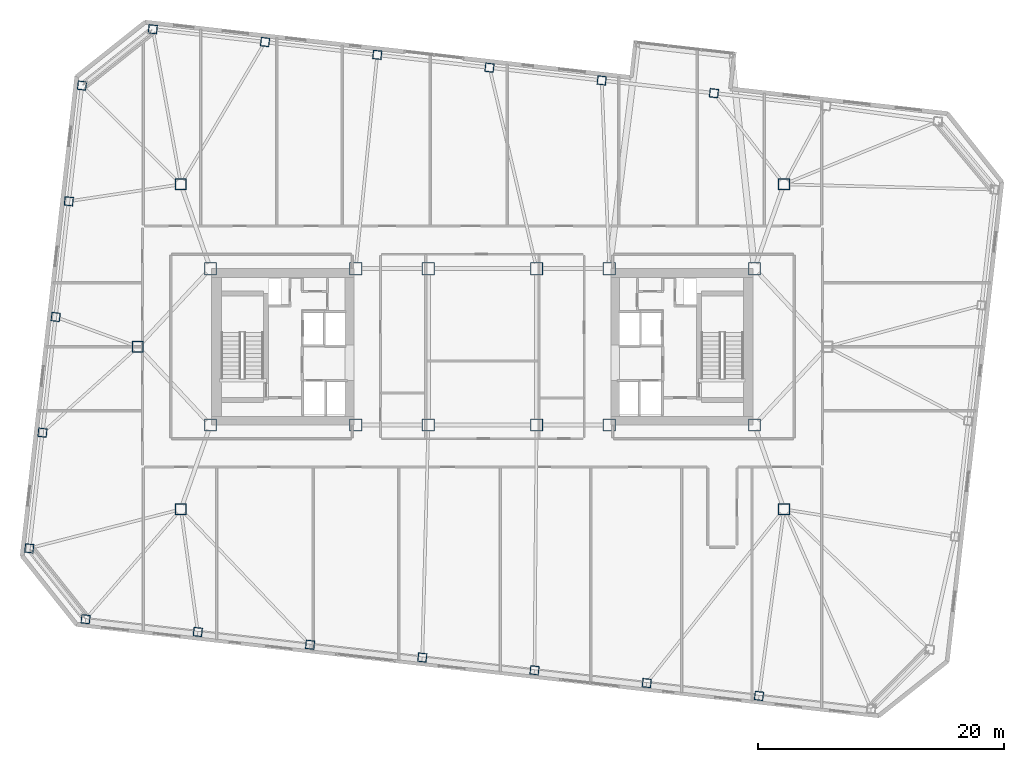
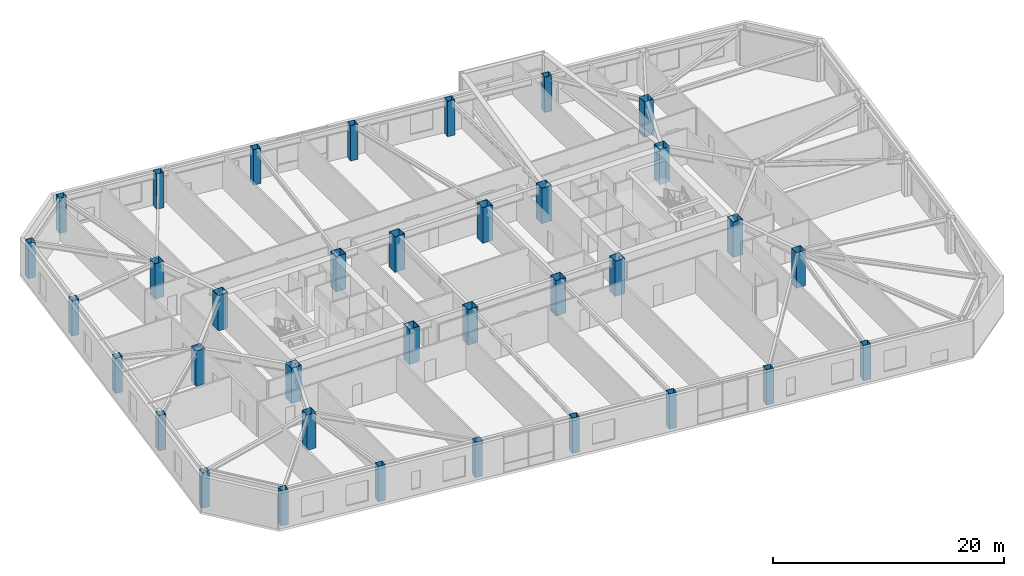
# One storey, part 1 of 23: 35 columns.
"""IFC4 building model written with IfcOpenShell, lengths in metres."""

from ifc_helpers import new_model, si_unit, direction, frame, origin, origin_2d, place, context, subcontext, project, spatial, hollow_rectangle, extrude, material, material_profile, profile_set, type_object, element, save


model = new_model("IFC4")

# Units and contexts
model_context = context("Model", 3, precision=1e-05, world=origin(), true_north=direction((0.0, 1.0)))
body_context = subcontext(model_context, "Body", "Model", "MODEL_VIEW")
ifc_project = project(units=[si_unit("LENGTHUNIT", "METRE"), si_unit("AREAUNIT", "SQUARE_METRE"), si_unit("VOLUMEUNIT", "CUBIC_METRE"), si_unit("PLANEANGLEUNIT", "RADIAN"), si_unit("MASSUNIT", "GRAM", prefix="KILO")], contexts=[model_context])

# Site, building, storey
site_placement = place(None, origin())
site = spatial("IfcSite", under=ifc_project, at=site_placement, CompositionType="ELEMENT")
building_placement = place(site_placement, origin())
building = spatial("IfcBuilding", under=site, at=building_placement, Name="Tavrogorsk Clinical Tower", CompositionType="ELEMENT")
storey_placement = place(building_placement, frame((0.0, 0.0, 113.39990234375)))
storey = spatial("IfcBuildingStorey", under=building, at=storey_placement, Name="L25", CompositionType="ELEMENT", Elevation=113.39990234375)

# Columns
ifc_material_1 = material(Name="Structural steel S440", Category="steel")
ifc_material_profile_1 = material_profile(ifc_material_1, hollow_rectangle(XDim=1.0, YDim=1.0, WallThickness=0.044921875, at=origin_2d()), Name="BOX-1000x1000x45")
ifc_profile_set_1 = profile_set([ifc_material_profile_1], Name="Structural steel S440")
column_type_1 = type_object("IfcColumnType", Name="MegaCol_BOX1000", PredefinedType="COLUMN", material=ifc_profile_set_1)
for number, where, z_axis, x_axis, name in (
    (1, (-22.10009765625, -6.35009765625, 0.0), (0.0, 0.0, 1.0), (1.0, 0.0, 0.0), "L25 Mega Column MC-W1"),
    (2, (-22.10009765625, 6.35009765625, 0.0), (0.0, 0.0, 1.0), (1.0, 0.0, 0.0), "L25 Mega Column MC-W2"),
    (3, (-10.300048828125, -6.35009765625, 0.0), (0.0, 0.0, 1.0), (1.0, 0.0, 0.0), "L25 Mega Column MC-W3"),
    (4, (-10.300048828125, 6.35009765625, 0.0), (0.0, 0.0, 1.0), (1.0, 0.0, 0.0), "L25 Mega Column MC-W4"),
    (5, (10.300048828125, -6.35009765625, 0.0), (0.0, 0.0, 1.0), (1.0, 0.0, 0.0), "L25 Mega Column MC-E1"),
    (6, (10.300048828125, 6.35009765625, 0.0), (0.0, 0.0, 1.0), (1.0, 0.0, 0.0), "L25 Mega Column MC-E2"),
    (7, (22.10009765625, -6.35009765625, 0.0), (0.0, 0.0, 1.0), (1.0, 0.0, 0.0), "L25 Mega Column MC-E3"),
    (8, (22.10009765625, 6.35009765625, 0.0), (0.0, 0.0, 1.0), (1.0, 0.0, 0.0), "L25 Mega Column MC-E4"),
    (9, (-4.39990234375, -6.35009765625, 0.0), (0.0, 0.0, 1.0), (1.0, 0.0, 0.0), "L25 Mega Column MC-C1"),
    (10, (4.39990234375, -6.35009765625, 0.0), (0.0, 0.0, 1.0), (1.0, 0.0, 0.0), "L25 Mega Column MC-C2"),
    (11, (-4.39990234375, 6.35009765625, 0.0), (0.0, 0.0, 1.0), (1.0, 0.0, 0.0), "L25 Mega Column MC-C3"),
    (12, (4.39990234375, 6.35009765625, 0.0), (0.0, 0.0, 1.0), (1.0, 0.0, 0.0), "L25 Mega Column MC-C4"),
):
    element("IfcColumn", number, at=place(storey_placement, frame(where, z_axis=z_axis, x_axis=x_axis)), inside=storey, type_object=column_type_1, Name=name, PredefinedType="COLUMN", context=body_context, shape_type="SweptSolid", body=[
        extrude(hollow_rectangle(XDim=1.0, YDim=1.0, WallThickness=0.044921875, at=origin_2d()), origin(), (0.0, 0.0, 1.0), 3.739990234375),
    ])
ifc_material_2 = material(Name="Structural steel S440", Category="steel")
ifc_material_profile_2 = material_profile(ifc_material_2, hollow_rectangle(XDim=0.89990234375, YDim=0.89990234375, WallThickness=0.0400390625, at=origin_2d()), Name="BOX-900x900x40")
ifc_profile_set_2 = profile_set([ifc_material_profile_2], Name="Structural steel S440")
column_type_2 = type_object("IfcColumnType", Name="MegaCol_BOX900", PredefinedType="COLUMN", material=ifc_profile_set_2)
for number, where, z_axis, x_axis, name in (
    (13, (-24.5, -13.199951171875, 0.0), (0.0, 0.0, 1.0), (1.0, 0.0, 0.0), "L25 Spine Pilotis Column MC-P1"),
    (14, (24.5, -13.199951171875, 0.0), (0.0, 0.0, 1.0), (1.0, 0.0, 0.0), "L25 Spine Pilotis Column MC-P2"),
    (15, (-24.5, 13.199951171875, 0.0), (0.0, 0.0, 1.0), (1.0, 0.0, 0.0), "L25 Spine Pilotis Column MC-P3"),
    (16, (24.5, 13.199951171875, 0.0), (0.0, 0.0, 1.0), (1.0, 0.0, 0.0), "L25 Spine Pilotis Column MC-P4"),
    (17, (-28.0, 0.0, 0.0), (0.0, 0.0, 1.0), (1.0, 0.0, 0.0), "L25 Spine Pilotis Column MC-P5"),
):
    element("IfcColumn", number, at=place(storey_placement, frame(where, z_axis=z_axis, x_axis=x_axis)), inside=storey, type_object=column_type_2, Name=name, PredefinedType="COLUMN", context=body_context, shape_type="SweptSolid", body=[
        extrude(hollow_rectangle(XDim=0.89990234375, YDim=0.89990234375, WallThickness=0.0400390625, at=origin_2d()), origin(), (0.0, 0.0, 1.0), 3.739990234375),
    ])
ifc_material_3 = material(Name="Structural steel S440", Category="steel")
ifc_material_profile_3 = material_profile(ifc_material_3, hollow_rectangle(XDim=0.699951171875, YDim=0.699951171875, WallThickness=0.031982421875, at=origin_2d()), Name="BOX-700x700x32")
ifc_profile_set_3 = profile_set([ifc_material_profile_3], Name="Structural steel S440")
column_type_3 = type_object("IfcColumnType", Name="PerimCol_B2_BOX700", PredefinedType="COLUMN", material=ifc_profile_set_3)
for number, where, z_axis, x_axis, name in (
    (18, (-32.243896484375, -22.12890625, 0.0), (0.0, 0.0, 1.0), (0.993571855677, -0.113203213768, 0.0), "L25 Perimeter Column S1"),
    (19, (-23.1259765625, -23.167724609375, 0.0), (0.0, 0.0, 1.0), (0.993571855677, -0.113203213768, 0.0), "L25 Perimeter Column S2"),
    (20, (-14.0078125, -24.20654296875, 0.0), (0.0, 0.0, 1.0), (0.993571855677, -0.113203213768, 0.0), "L25 Perimeter Column S3"),
    (21, (-4.8896484375, -25.24560546875, 0.0), (0.0, 0.0, 1.0), (0.993571855677, -0.113203213768, 0.0), "L25 Perimeter Column S4"),
    (22, (4.228515625, -26.284423828125, 0.0), (0.0, 0.0, 1.0), (0.993571855677, -0.113203213768, 0.0), "L25 Perimeter Column S5"),
    (23, (13.3466796875, -27.3232421875, 0.0), (0.0, 0.0, 1.0), (0.993571855677, -0.113203213768, 0.0), "L25 Perimeter Column S6"),
    (24, (22.465087890625, -28.3623046875, 0.0), (0.0, 0.0, 1.0), (0.993571855677, -0.113203213768, 0.0), "L25 Perimeter Column S7"),
    (25, (18.8076171875, 20.606689453125, 0.0), (0.0, 0.0, 1.0), (0.993571855677, -0.113203213768, 0.0), "L25 Perimeter Column N3"),
    (26, (9.689697265625, 21.6455078125, 0.0), (0.0, 0.0, 1.0), (0.993571855677, -0.113203213768, 0.0), "L25 Perimeter Column N4"),
    (27, (0.5712890625, 22.684326171875, 0.0), (0.0, 0.0, 1.0), (0.993571855677, -0.113203213768, 0.0), "L25 Perimeter Column N5"),
    (28, (-8.546875, 23.723388671875, 0.0), (0.0, 0.0, 1.0), (0.993571855677, -0.113203213768, 0.0), "L25 Perimeter Column N6"),
    (29, (-17.6650390625, 24.76220703125, 0.0), (0.0, 0.0, 1.0), (0.993571855677, -0.113203213768, 0.0), "L25 Perimeter Column N7"),
    (30, (-26.783203125, 25.801025390625, 0.0), (0.0, 0.0, 1.0), (0.993571855677, -0.113203213768, 0.0), "L25 Perimeter Column N8"),
    (31, (-32.538330078125, 21.22314453125, 0.0), (0.0, 0.0, 1.0), (0.993571855677, -0.113203213768, 0.0), "L25 Perimeter Column W1"),
    (32, (-33.609130859375, 11.823974609375, 0.0), (0.0, 0.0, 1.0), (0.993571855677, -0.113203213768, 0.0), "L25 Perimeter Column W2"),
    (33, (-34.68017578125, 2.4248046875, 0.0), (0.0, 0.0, 1.0), (0.993571855677, -0.113203213768, 0.0), "L25 Perimeter Column W3"),
    (34, (-35.7509765625, -6.974365234375, 0.0), (0.0, 0.0, 1.0), (0.993571855677, -0.113203213768, 0.0), "L25 Perimeter Column W4"),
    (35, (-36.822021484375, -16.37353515625, 0.0), (0.0, 0.0, 1.0), (0.993571855677, -0.113203213768, 0.0), "L25 Perimeter Column W5"),
):
    element("IfcColumn", number, at=place(storey_placement, frame(where, z_axis=z_axis, x_axis=x_axis)), inside=storey, type_object=column_type_3, Name=name, PredefinedType="COLUMN", context=body_context, shape_type="SweptSolid", body=[
        extrude(hollow_rectangle(XDim=0.699951171875, YDim=0.699951171875, WallThickness=0.031982421875, at=origin_2d()), origin(), (0.0, 0.0, 1.0), 3.739990234375),
    ])

save(model, "model.ifc")
